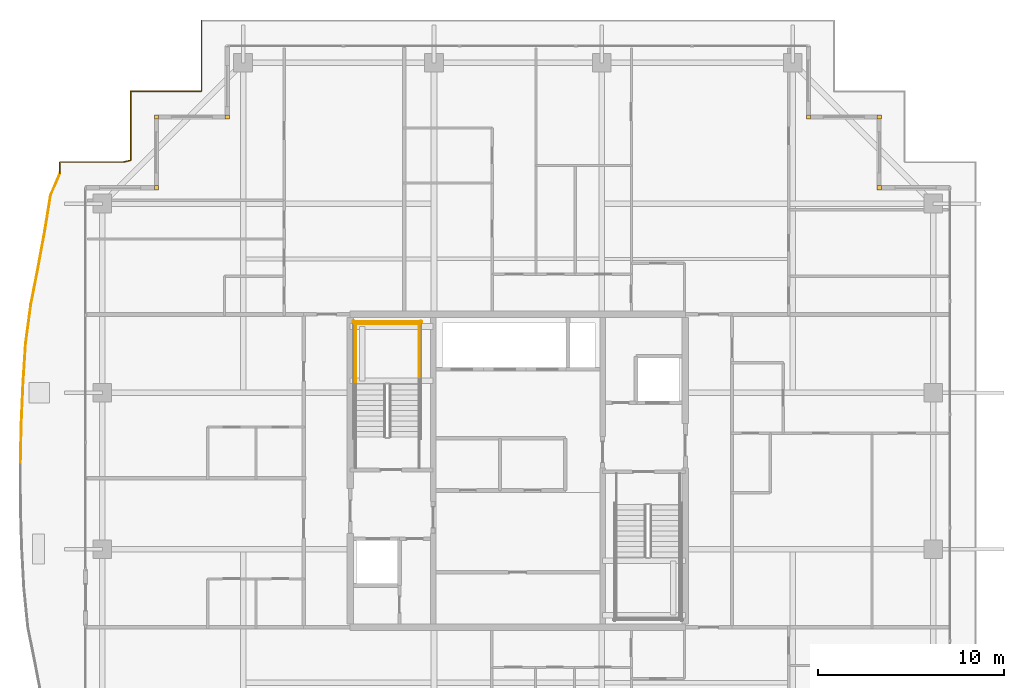
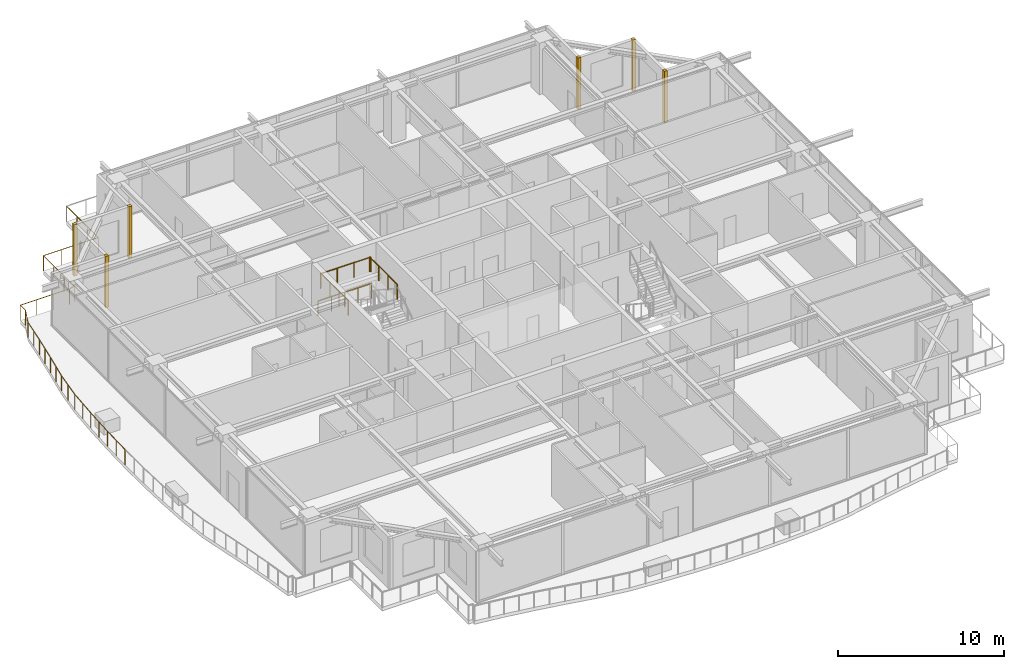
# One storey, part 37 of 37: 6 coverings, 6 railings.
"""IFC4 building model written with IfcOpenShell, lengths in metres."""

from ifc_helpers import new_model, si_unit, direction, frame, origin, origin_2d, place, context, subcontext, project, spatial, rectangle, circle, extrude, source, transform, mapped, material, layer, layer_set, type_object, element, save


model = new_model("IFC4")

# Units and contexts
model_context = context("Model", 3, precision=1e-05, world=origin(), true_north=direction((0.0, 1.0)))
body_context = subcontext(model_context, "Body", "Model", "MODEL_VIEW")
ifc_project = project(units=[si_unit("LENGTHUNIT", "METRE"), si_unit("AREAUNIT", "SQUARE_METRE"), si_unit("VOLUMEUNIT", "CUBIC_METRE"), si_unit("PLANEANGLEUNIT", "RADIAN"), si_unit("MASSUNIT", "GRAM", prefix="KILO")], contexts=[model_context])

# Site, building, storey
site_placement = place(None, origin())
site = spatial("IfcSite", under=ifc_project, at=site_placement, CompositionType="ELEMENT")
building_placement = place(site_placement, origin())
building = spatial("IfcBuilding", under=site, at=building_placement, Name="Serunith Strait Residences", CompositionType="ELEMENT")
storey_placement = place(building_placement, frame((0.0, 0.0, 305.60009765625)))
storey = spatial("IfcBuildingStorey", under=building, at=storey_placement, Name="L76", CompositionType="ELEMENT", Elevation=305.60009765625)

# Railings
ifc_material_1 = material(Name="Stainless Steel & Laminated Glass Balustrade", Category="steel")
railing_type_1 = type_object("IfcRailingType", Name="RLG-BALC-1150", PredefinedType="BALUSTRADE", material=ifc_material_1)
railing_1_placement = place(storey_placement, frame((5.69970703125, 25.5068359375, -0.050048828125)))
element("IfcRailing", 1, at=railing_1_placement, inside=storey, type_object=railing_type_1, Name="L76 Swirling Balcony Perimeter Balustrade 3", PredefinedType="BALUSTRADE", context=body_context, shape_type="SweptSolid", body=[
    extrude(circle(Radius=0.02392578125, at=origin_2d()), frame((0.0, 0.001953125, 1.1259765625), z_axis=(0.021064298445, 0.999778123051, 0.0), x_axis=(-0.999778123051, 0.021064298445, 0.0)), (0.0, 0.0, 1.0), 2.1982421875),
    extrude(circle(Radius=0.02392578125, at=origin_2d()), frame((0.04638671875, 2.20361328125, 1.1259765625), z_axis=(0.043756932407, 0.999042206749, 0.0), x_axis=(-0.999042206749, 0.043756932407, 0.0)), (0.0, 0.0, 1.0), 2.18310546875),
    extrude(circle(Radius=0.02392578125, at=origin_2d()), frame((0.142333984375, 4.388671875, 1.1259765625), z_axis=(0.063439425213, 0.997985690944, 0.0), x_axis=(-0.997985690944, 0.063439425213, 0.0)), (0.0, 0.0, 1.0), 2.15869140625),
    extrude(circle(Radius=0.02392578125, at=origin_2d()), frame((0.279541015625, 6.547119140625, 1.1259765625), z_axis=(0.134776764388, 0.990875988094, 0.0), x_axis=(-0.990875988094, 0.134776764388, 0.0)), (0.0, 0.0, 1.0), 2.100830078125),
    extrude(circle(Radius=0.02392578125, at=origin_2d()), frame((0.5634765625, 8.6328125, 1.1259765625), z_axis=(0.19077640748, 0.981633517332, 0.0), x_axis=(-0.981633517332, 0.19077640748, 0.0)), (0.0, 0.0, 1.0), 2.028076171875),
    extrude(circle(Radius=0.02392578125, at=origin_2d()), frame((0.950927734375, 10.627685546875, 1.1259765625), z_axis=(0.180785511923, 0.983522546096, 0.0), x_axis=(-0.983522546096, 0.180785511923, 0.0)), (0.0, 0.0, 1.0), 1.974365234375),
    extrude(circle(Radius=0.02392578125, at=origin_2d()), frame((1.30859375, 12.573486328125, 1.1259765625), z_axis=(0.159703272187, 0.987165064644, 0.0), x_axis=(-0.987165064644, 0.159703272187, 0.0)), (0.0, 0.0, 1.0), 1.93603515625),
    extrude(circle(Radius=0.02392578125, at=origin_2d()), frame((1.618896484375, 14.488525390625, 1.1259765625), z_axis=(0.392582917275, 0.919716615629, 0.0), x_axis=(-0.919716615629, 0.392582917275, 0.0)), (0.0, 0.0, 1.0), 1.275146484375),
    extrude(circle(Radius=0.02099609375, at=origin_2d()), origin(), (0.0, 0.0, 1.0), 1.099853515625),
    extrude(circle(Radius=0.02099609375, at=origin_2d()), frame((0.023193359375, 1.100830078125, 0.0)), (0.0, 0.0, 1.0), 1.099853515625),
    extrude(circle(Radius=0.02099609375, at=origin_2d()), frame((0.04638671875, 2.20166015625, 0.0)), (0.0, 0.0, 1.0), 1.099853515625),
    extrude(circle(Radius=0.02099609375, at=origin_2d()), frame((0.09423828125, 3.294189453125, 0.0)), (0.0, 0.0, 1.0), 1.099853515625),
    extrude(circle(Radius=0.02099609375, at=origin_2d()), frame((0.14208984375, 4.38671875, 0.0)), (0.0, 0.0, 1.0), 1.099853515625),
    extrude(circle(Radius=0.02099609375, at=origin_2d()), frame((0.210693359375, 5.4658203125, 0.0)), (0.0, 0.0, 1.0), 1.099853515625),
    extrude(circle(Radius=0.02099609375, at=origin_2d()), frame((0.279296875, 6.545166015625, 0.0)), (0.0, 0.0, 1.0), 1.099853515625),
    extrude(circle(Radius=0.02099609375, at=origin_2d()), frame((0.421142578125, 7.587890625, 0.0)), (0.0, 0.0, 1.0), 1.099853515625),
    extrude(circle(Radius=0.02099609375, at=origin_2d()), frame((0.56298828125, 8.630859375, 0.0)), (0.0, 0.0, 1.0), 1.099853515625),
    extrude(circle(Radius=0.02099609375, at=origin_2d()), frame((0.7568359375, 9.62841796875, 0.0)), (0.0, 0.0, 1.0), 1.099853515625),
    extrude(circle(Radius=0.02099609375, at=origin_2d()), frame((0.95068359375, 10.625732421875, 0.0)), (0.0, 0.0, 1.0), 1.099853515625),
    extrude(circle(Radius=0.02099609375, at=origin_2d()), frame((1.12939453125, 11.5986328125, 0.0)), (0.0, 0.0, 1.0), 1.099853515625),
    extrude(circle(Radius=0.02099609375, at=origin_2d()), frame((1.308349609375, 12.571533203125, 0.0)), (0.0, 0.0, 1.0), 1.099853515625),
    extrude(circle(Radius=0.02099609375, at=origin_2d()), frame((1.46337890625, 13.529052734375, 0.0)), (0.0, 0.0, 1.0), 1.099853515625),
    extrude(circle(Radius=0.02099609375, at=origin_2d()), frame((1.6181640625, 14.486572265625, 0.0)), (0.0, 0.0, 1.0), 1.099853515625),
    extrude(circle(Radius=0.02099609375, at=origin_2d()), frame((2.120361328125, 15.6630859375, 0.0)), (0.0, 0.0, 1.0), 1.099853515625),
])
railing_2_placement = place(storey_placement, frame((7.820068359375, 41.169921875, -0.050048828125)))
element("IfcRailing", 2, at=railing_2_placement, inside=storey, type_object=railing_type_1, Name="L76 Swirling Balcony Perimeter Balustrade 4", PredefinedType="BALUSTRADE", context=body_context, shape_type="SweptSolid", body=[
    extrude(circle(Radius=0.02392578125, at=origin_2d()), frame((0.0, 0.001953125, 1.1259765625), z_axis=(0.0, 1.0, 0.0), x_axis=(-1.0, 0.0, 0.0)), (0.0, 0.0, 1.0), 0.606201171875),
    extrude(circle(Radius=0.02392578125, at=origin_2d()), frame((0.001953125, 0.610107421875, 1.1259765625), z_axis=(1.0, 0.0, 0.0), x_axis=(0.0, 1.0, 0.0)), (0.0, 0.0, 1.0), 3.4130859375),
    extrude(circle(Radius=0.02392578125, at=origin_2d()), frame((3.4189453125, 0.610595703125, 1.1259765625), z_axis=(0.970033299153, 0.242972011834, 0.0), x_axis=(-0.242972011834, 0.970033299153, 0.0)), (0.0, 0.0, 1.0), 0.390869140625),
    extrude(circle(Radius=0.02392578125, at=origin_2d()), frame((3.800048828125, 0.7080078125, 1.1259765625), z_axis=(0.0, 1.0, 0.0), x_axis=(-1.0, 0.0, 0.0)), (0.0, 0.0, 1.0), 3.7001953125),
    extrude(circle(Radius=0.02392578125, at=origin_2d()), frame((3.802001953125, 4.41015625, 1.1259765625), z_axis=(1.0, 0.0, 0.0), x_axis=(0.0, 1.0, 0.0)), (0.0, 0.0, 1.0), 3.777587890625),
    extrude(circle(Radius=0.02392578125, at=origin_2d()), frame((7.599853515625, 4.4189453125, 1.1259765625), z_axis=(0.0, 1.0, 0.0), x_axis=(-1.0, 0.0, 0.0)), (0.0, 0.0, 1.0), 3.7890625),
    extrude(circle(Radius=0.02099609375, at=origin_2d()), origin(), (0.0, 0.0, 1.0), 1.099853515625),
    extrude(circle(Radius=0.02099609375, at=origin_2d()), frame((0.0, 0.610107421875, 0.0)), (0.0, 0.0, 1.0), 1.099853515625),
    extrude(circle(Radius=0.02099609375, at=origin_2d()), frame((1.138916015625, 0.610107421875, 0.0)), (0.0, 0.0, 1.0), 1.099853515625),
    extrude(circle(Radius=0.02099609375, at=origin_2d()), frame((2.278076171875, 0.610107421875, 0.0)), (0.0, 0.0, 1.0), 1.099853515625),
    extrude(circle(Radius=0.02099609375, at=origin_2d()), frame((3.4169921875, 0.610107421875, 0.0)), (0.0, 0.0, 1.0), 1.099853515625),
    extrude(circle(Radius=0.02099609375, at=origin_2d()), frame((3.800048828125, 0.7060546875, 0.0)), (0.0, 0.0, 1.0), 1.099853515625),
    extrude(circle(Radius=0.02099609375, at=origin_2d()), frame((3.800048828125, 1.940673828125, 0.0)), (0.0, 0.0, 1.0), 1.099853515625),
    extrude(circle(Radius=0.02099609375, at=origin_2d()), frame((3.800048828125, 3.175537109375, 0.0)), (0.0, 0.0, 1.0), 1.099853515625),
    extrude(circle(Radius=0.02099609375, at=origin_2d()), frame((3.800048828125, 4.41015625, 0.0)), (0.0, 0.0, 1.0), 1.099853515625),
    extrude(circle(Radius=0.02099609375, at=origin_2d()), frame((5.060546875, 4.41015625, 0.0)), (0.0, 0.0, 1.0), 1.099853515625),
    extrude(circle(Radius=0.02099609375, at=origin_2d()), frame((6.321044921875, 4.41015625, 0.0)), (0.0, 0.0, 1.0), 1.099853515625),
    extrude(circle(Radius=0.02099609375, at=origin_2d()), frame((7.599853515625, 4.4169921875, 0.0)), (0.0, 0.0, 1.0), 1.099853515625),
    extrude(circle(Radius=0.02099609375, at=origin_2d()), frame((7.599853515625, 5.681396484375, 0.0)), (0.0, 0.0, 1.0), 1.099853515625),
    extrude(circle(Radius=0.02099609375, at=origin_2d()), frame((7.599853515625, 6.945556640625, 0.0)), (0.0, 0.0, 1.0), 1.099853515625),
    extrude(circle(Radius=0.02099609375, at=origin_2d()), frame((7.599853515625, 8.2099609375, 0.0)), (0.0, 0.0, 1.0), 1.099853515625),
])
ifc_material_2 = material(Name="Brushed stainless steel 316L", Category="steel")
railing_type_2 = type_object("IfcRailingType", Name="RLG-STAIR-GUARD", PredefinedType="BALUSTRADE", material=ifc_material_2)
for number, where, name in (
    (3, (27.10009765625, 29.830078125, 2.02490234375), "L76 ST-1 stair guard 3"),
    (4, (23.699951171875, 29.830078125, 2.02490234375), "L76 ST-1 stair guard 4"),
):
    element("IfcRailing", number, at=place(storey_placement, frame(where)), inside=storey, type_object=railing_type_2, Name=name, PredefinedType="BALUSTRADE", context=body_context, shape_type="SweptSolid", body=[
        extrude(circle(Radius=0.02392578125, at=origin_2d()), frame((0.0, 0.001953125, 1.076171875), z_axis=(0.0, 1.0, 0.0), x_axis=(-1.0, 0.0, 0.0)), (0.0, 0.0, 1.0), 3.31591796875),
        extrude(circle(Radius=0.02099609375, at=origin_2d()), origin(), (0.0, 0.0, 1.0), 1.050048828125),
        extrude(circle(Radius=0.02099609375, at=origin_2d()), frame((0.0, 1.106689453125, 0.0)), (0.0, 0.0, 1.0), 1.050048828125),
        extrude(circle(Radius=0.02099609375, at=origin_2d()), frame((0.0, 2.213134765625, 0.0)), (0.0, 0.0, 1.0), 1.050048828125),
        extrude(circle(Radius=0.02099609375, at=origin_2d()), frame((0.0, 3.31982421875, 0.0)), (0.0, 0.0, 1.0), 1.050048828125),
    ])
railing_3_placement = place(storey_placement, frame((27.14990234375, 33.10009765625, 2.02490234375)))
element("IfcRailing", 5, at=railing_3_placement, inside=storey, type_object=railing_type_2, Name="L76 ST-1 stair guard 5", PredefinedType="BALUSTRADE", context=body_context, shape_type="SweptSolid", body=[
    extrude(circle(Radius=0.02392578125, at=origin_2d()), frame((-0.001953125, 0.0, 1.076171875), z_axis=(-1.0, 0.0, 0.0), x_axis=(0.0, -1.0, 0.0)), (0.0, 0.0, 1.0), 3.49609375),
    extrude(circle(Radius=0.02099609375, at=origin_2d()), origin(), (0.0, 0.0, 1.0), 1.050048828125),
    extrude(circle(Radius=0.02099609375, at=origin_2d()), frame((-1.166748046875, 0.0, 0.0)), (0.0, 0.0, 1.0), 1.050048828125),
    extrude(circle(Radius=0.02099609375, at=origin_2d()), frame((-2.333251953125, 0.0, 0.0)), (0.0, 0.0, 1.0), 1.050048828125),
    extrude(circle(Radius=0.02099609375, at=origin_2d()), frame((-3.5, 0.0, 0.0)), (0.0, 0.0, 1.0), 1.050048828125),
])
railing_4_placement = place(storey_placement, frame((27.25, 33.199951171875, 0.0)))
element("IfcRailing", 6, at=railing_4_placement, inside=storey, type_object=railing_type_2, Name="L76 ST-1 stair guard 12", PredefinedType="BALUSTRADE", context=body_context, shape_type="SweptSolid", body=[
    extrude(circle(Radius=0.02392578125, at=origin_2d()), frame((-0.001953125, 0.0, 1.076171875), z_axis=(-1.0, 0.0, 0.0), x_axis=(0.0, -1.0, 0.0)), (0.0, 0.0, 1.0), 3.696044921875),
    extrude(circle(Radius=0.02099609375, at=origin_2d()), origin(), (0.0, 0.0, 1.0), 1.050048828125),
    extrude(circle(Radius=0.02099609375, at=origin_2d()), frame((-0.925048828125, 0.0, 0.0)), (0.0, 0.0, 1.0), 1.050048828125),
    extrude(circle(Radius=0.02099609375, at=origin_2d()), frame((-1.85009765625, 0.0, 0.0)), (0.0, 0.0, 1.0), 1.050048828125),
    extrude(circle(Radius=0.02099609375, at=origin_2d()), frame((-2.77490234375, 0.0, 0.0)), (0.0, 0.0, 1.0), 1.050048828125),
    extrude(circle(Radius=0.02099609375, at=origin_2d()), frame((-3.699951171875, 0.0, 0.0)), (0.0, 0.0, 1.0), 1.050048828125),
])

# Coverings
ifc_material_3 = material(Name="Pale-Champagne Anodised Aluminium", Category="aluminium")
ifc_layer = layer(ifc_material_3, 0.219970703125, Name="Pale-Champagne Anodised Aluminium")
ifc_layer_set = layer_set([ifc_layer], Name="Pale-Champagne Anodised Aluminium")
covering_type = type_object("IfcCoveringType", Name="COV-CORN-TRIM", PredefinedType="CLADDING", material=ifc_layer_set)
shared_shape = source(origin(), body_context, "Body", "SweptSolid", [
    extrude(rectangle(XDim=0.221923828125, YDim=0.221923828125, at=origin_2d()), origin(), (0.0, 0.0, 1.0), 3.77490234375),
])
for number, where, z_axis, x_axis, name in (
    (7, (51.800048828125, 40.39990234375, 0.0), (0.0, 0.0, 1.0), (1.0, 0.0, 0.0), "L76 Girih Serrated Corner Trim Post 07"),
    (8, (51.800048828125, 44.199951171875, 0.0), (0.0, 0.0, 1.0), (1.0, 0.0, 0.0), "L76 Girih Serrated Corner Trim Post 08"),
    (9, (48.0, 44.199951171875, 0.0), (0.0, 0.0, 1.0), (1.0, 0.0, 0.0), "L76 Girih Serrated Corner Trim Post 09"),
    (10, (16.800048828125, 44.199951171875, 0.0), (0.0, 0.0, 1.0), (1.0, 0.0, 0.0), "L76 Girih Serrated Corner Trim Post 12"),
    (11, (13.0, 44.199951171875, 0.0), (0.0, 0.0, 1.0), (1.0, 0.0, 0.0), "L76 Girih Serrated Corner Trim Post 13"),
    (12, (13.0, 40.39990234375, 0.0), (0.0, 0.0, 1.0), (1.0, 0.0, 0.0), "L76 Girih Serrated Corner Trim Post 14"),
):
    element("IfcCovering", number, at=place(storey_placement, frame(where, z_axis=z_axis, x_axis=x_axis)), inside=storey, type_object=covering_type, Name=name, PredefinedType="CLADDING", context=body_context, shape_type="MappedRepresentation", body=[
        mapped(shared_shape, transform((0.0, 0.0, 0.0), scale=1.0)),
    ])

save(model, "model.ifc")
